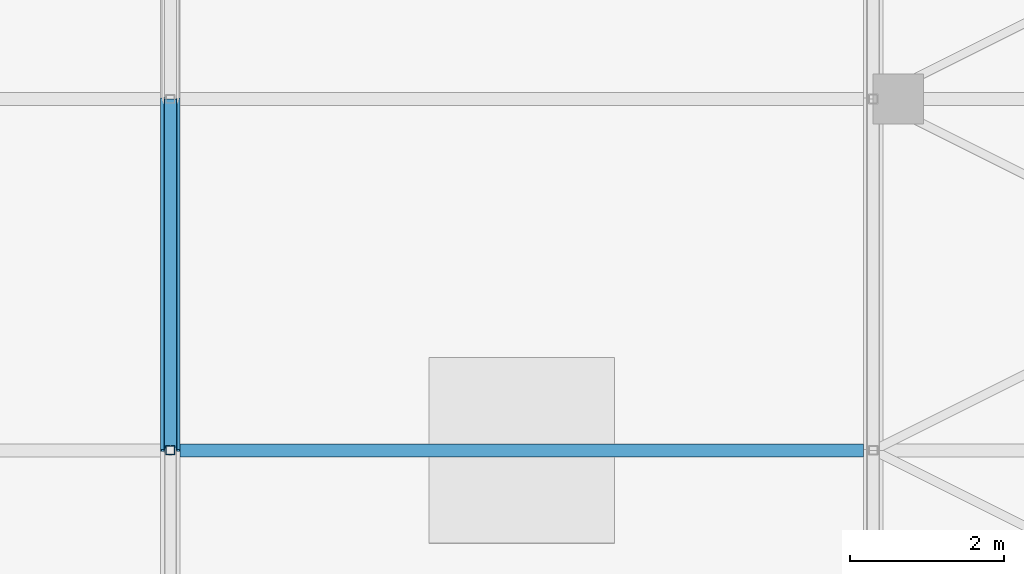
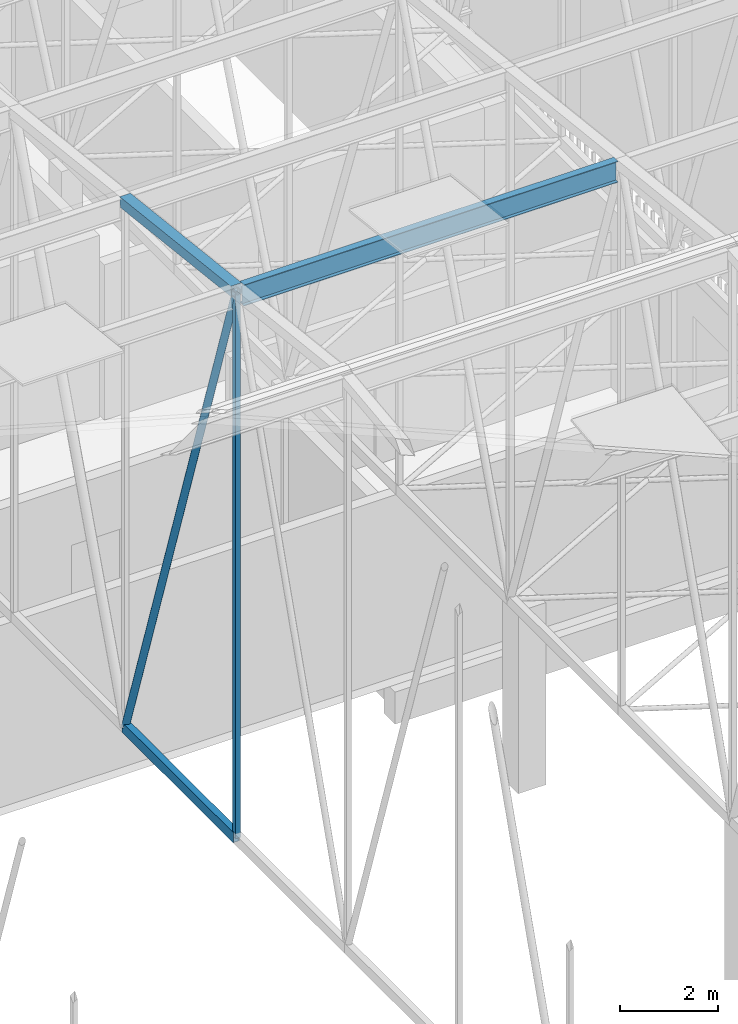
# One storey, part 369 of 500: 5 members.
"""IFC4 building model written with IfcOpenShell, lengths in metres."""

import ifcopenshell
import ifcopenshell.guid

model = None  # the IFC model being written
_history = None  # IfcOwnerHistory: only IFC2X3 demands one
_inside = {}  # id of a spatial element -> (the spatial element, [elements in it])
_under = {}  # id of a project, library or spatial element -> (it, [spatial elements below it])
_declared = {}  # id of a project -> (the project, [libraries it declares])
_typed = {}  # id of a type object -> (the type object, [elements of that type])
_made_of = {}  # id of a material, layer set ... -> (it, [elements and type objects made of it])


def new_model(schema):
    """Start an empty IFC model of exactly this schema.

    Asked for "IFC4X3", IfcOpenShell would pick the latest addendum, in which some entities
    have other attributes; the version numbers below select the first issue.
    IFC2X3 requires an IfcOwnerHistory on every rooted entity: one is made here for all.
    """
    global model, _history
    if schema == "IFC4X3":
        model = ifcopenshell.file(schema_version=(4, 3, 0, 0))
    else:
        model = ifcopenshell.file(schema=schema)
    _inside.clear()
    _under.clear()
    _declared.clear()
    _typed.clear()
    _made_of.clear()
    _history = None
    if model.schema == "IFC2X3":
        org = make("IfcOrganization", Name="unknown")
        user = make(
            "IfcPersonAndOrganization",
            ThePerson=make("IfcPerson", FamilyName="unknown"),
            TheOrganization=org,
        )
        app = make(
            "IfcApplication",
            ApplicationDeveloper=org,
            Version="unknown",
            ApplicationFullName="unknown",
            ApplicationIdentifier="unknown",
        )
        _history = make(
            "IfcOwnerHistory",
            OwningUser=user,
            OwningApplication=app,
            ChangeAction="ADDED",
            CreationDate=0,
        )
    return model


def make(cls, **values):
    """One entity of the class cls with the attributes given. An attribute that is None is left unset."""
    return model.create_entity(
        cls, **{name: value for name, value in values.items() if value is not None}
    )


def rooted(cls, **values):
    """An entity with a GlobalId (a new one), such as an element, a storey or a relation."""
    return make(cls, GlobalId=ifcopenshell.guid.new(), OwnerHistory=_history, **values)


def si_unit(unit_type, name, prefix=None):
    """IfcSIUnit, for example si_unit("LENGTHUNIT", "METRE", prefix="MILLI")."""
    return make("IfcSIUnit", UnitType=unit_type, Prefix=prefix, Name=name)


def assignment(units):
    """IfcUnitAssignment: the units of a project."""
    return None if units is None else make("IfcUnitAssignment", Units=units)


def point(xyz):
    """IfcCartesianPoint."""
    return None if xyz is None else make("IfcCartesianPoint", Coordinates=xyz)


def direction(xyz):
    """IfcDirection."""
    return None if xyz is None else make("IfcDirection", DirectionRatios=xyz)


def frame(location, z_axis=None, x_axis=None):
    """IfcAxis2Placement3D, a coordinate frame: its origin and axes. An axis left out is left unset."""
    return make(
        "IfcAxis2Placement3D",
        Location=point(location),
        Axis=direction(z_axis),
        RefDirection=direction(x_axis),
    )


def frame_2d(location, x_axis=None):
    """IfcAxis2Placement2D, a coordinate frame in the plane: its origin and x axis."""
    return make(
        "IfcAxis2Placement2D", Location=point(location), RefDirection=direction(x_axis)
    )


def origin():
    """The frame at (0, 0, 0) with its axes left unset."""
    return frame((0.0, 0.0, 0.0))


def origin_2d():
    """The frame at (0, 0) in the plane with its x axis left unset."""
    return frame_2d((0.0, 0.0))


def place(relative_to, where):
    """IfcLocalPlacement: puts the frame where relative to a parent placement (None: the world)."""
    return make(
        "IfcLocalPlacement", PlacementRelTo=relative_to, RelativePlacement=where
    )


def context(
    kind, dimensions, precision=None, world=None, true_north=None, identifier=None
):
    """IfcGeometricRepresentationContext, for example the 3D "Model" context."""
    return make(
        "IfcGeometricRepresentationContext",
        ContextIdentifier=identifier,
        ContextType=kind,
        CoordinateSpaceDimension=dimensions,
        Precision=precision,
        WorldCoordinateSystem=world,
        TrueNorth=true_north,
    )


def subcontext(parent, identifier, kind, view, scale=None):
    """IfcGeometricRepresentationSubContext, for example "Body" below "Model"."""
    return make(
        "IfcGeometricRepresentationSubContext",
        ContextIdentifier=identifier,
        ContextType=kind,
        ParentContext=parent,
        TargetScale=scale,
        TargetView=view,
    )


def project(units=None, contexts=None):
    """IfcProject with its units and contexts."""
    return rooted(
        "IfcProject",
        Name="project",
        RepresentationContexts=contexts,
        UnitsInContext=assignment(units),
    )


def spatial(cls, under=None, at=None, **own):
    """A site, building, storey or space (cls), placed at a placement, below another one or the project."""
    s = rooted(cls, ObjectPlacement=at, **own)
    if under is not None:
        _under.setdefault(under.id(), (under, []))[1].append(s)
    return s


def profile(cls, at=None, kind="AREA", **sizes):
    """A parametric profile (cls). Its sizes go by their IFC names, for example OverallWidth=200.0."""
    return make(cls, ProfileType=kind, Position=at, **sizes)


def hollow_rectangle(**sizes):
    """IfcRectangleHollowProfileDef."""
    return profile("IfcRectangleHollowProfileDef", **sizes)


def hollow_circle(**sizes):
    """IfcCircleHollowProfileDef."""
    return profile("IfcCircleHollowProfileDef", **sizes)


def i_section(**sizes):
    """IfcIShapeProfileDef."""
    return profile("IfcIShapeProfileDef", **sizes)


def extrude(swept, where, along, depth):
    """IfcExtrudedAreaSolid: the profile swept, set in the frame where, extruded along a direction by depth."""
    return make(
        "IfcExtrudedAreaSolid",
        SweptArea=swept,
        Position=where,
        ExtrudedDirection=direction(along),
        Depth=depth,
    )


def shape(context_of_items, identifier, shape_type, items):
    """IfcShapeRepresentation: the items that make up one representation, for example the "Body"."""
    return make(
        "IfcShapeRepresentation",
        ContextOfItems=context_of_items,
        RepresentationIdentifier=identifier,
        RepresentationType=shape_type,
        Items=items,
    )


def material(Name=None, Category=None):
    """IfcMaterial."""
    return make("IfcMaterial", Name=Name, Category=Category)


def material_profile(
    of_material, cross_section, Name=None, Category=None, Priority=None
):
    """IfcMaterialProfile: a cross section and its material."""
    return make(
        "IfcMaterialProfile",
        Name=Name,
        Material=of_material,
        Profile=cross_section,
        Priority=Priority,
        Category=Category,
    )


def profile_set(profiles, Name=None, composite=None):
    """IfcMaterialProfileSet."""
    return make(
        "IfcMaterialProfileSet",
        Name=Name,
        MaterialProfiles=profiles,
        CompositeProfile=composite,
    )


def made_of(thing, what):
    """Note that an element or type object is made of a material, layer set ...; save() writes the relation."""
    if what is not None:
        _made_of.setdefault(what.id(), (what, []))[1].append(thing)
    return thing


def type_object(cls, material=None, **own):
    """A type object (cls), such as IfcWallType, which elements share."""
    return made_of(rooted(cls, **own), material)


def element(
    cls,
    number,
    at=None,
    inside=None,
    cuts=None,
    type_object=None,
    material=None,
    context=None,
    identifier="Body",
    shape_type=None,
    held_by="IfcProductDefinitionShape",
    body=None,
    shapes=None,
    **own,
):
    """One element of the class cls, such as IfcWall. Its Tag is "e" and its number.

    at: its placement. inside: the storey or other place that contains it. cuts: it is an
    opening in that element (IfcRelVoidsElement). A single representation is given by context,
    identifier, shape_type and body (its items); several are given by shapes. held_by: the class
    of the entity that holds the representations. save() writes the other relations.
    """
    e = rooted(cls, Tag="e%d" % number, ObjectPlacement=at, **own)
    if body is not None:
        shapes = [shape(context, identifier, shape_type, body)]
    if shapes is not None:
        e.Representation = make(held_by, Representations=shapes)
    if inside is not None:
        _inside.setdefault(inside.id(), (inside, []))[1].append(e)
    if cuts is not None:
        rooted(
            "IfcRelVoidsElement", RelatingBuildingElement=cuts, RelatedOpeningElement=e
        )
    if type_object is not None:
        _typed.setdefault(type_object.id(), (type_object, []))[1].append(e)
    return made_of(e, material)


def aggregate(whole, parts):
    """IfcRelAggregates: a whole, such as a stair, and the parts it consists of."""
    return rooted("IfcRelAggregates", RelatingObject=whole, RelatedObjects=parts)


def save(model, path):
    """Write the relations noted so far, then the file.

    IfcRelAggregates (storeys below a building ...), IfcRelContainedInSpatialStructure (elements
    in a storey), IfcRelDefinesByType, IfcRelAssociatesMaterial and IfcRelDeclares: one each for
    every whole, place, type object, material and project.
    """
    for whole, parts in _under.values():
        aggregate(whole, parts)
    for where, things in _inside.values():
        rooted(
            "IfcRelContainedInSpatialStructure",
            RelatedElements=things,
            RelatingStructure=where,
        )
    for kind, things in _typed.values():
        rooted("IfcRelDefinesByType", RelatedObjects=things, RelatingType=kind)
    for what, things in _made_of.values():
        rooted("IfcRelAssociatesMaterial", RelatedObjects=things, RelatingMaterial=what)
    for by, libraries in _declared.values():
        rooted("IfcRelDeclares", RelatingContext=by, RelatedDefinitions=libraries)
    model.write(path)


model = new_model("IFC4")

# Units and contexts
model_context = context("Model", 3, precision=1e-05, world=origin(), true_north=direction((0.0, 1.0)))
body_context = subcontext(model_context, "Body", "Model", "MODEL_VIEW")
ifc_project = project(units=[si_unit("LENGTHUNIT", "METRE"), si_unit("AREAUNIT", "SQUARE_METRE"), si_unit("VOLUMEUNIT", "CUBIC_METRE"), si_unit("PLANEANGLEUNIT", "RADIAN"), si_unit("MASSUNIT", "GRAM", prefix="KILO")], contexts=[model_context])

# Site, building, storey
site_placement = place(None, origin())
site = spatial("IfcSite", under=ifc_project, at=site_placement, CompositionType="ELEMENT")
building_placement = place(site_placement, origin())
building = spatial("IfcBuilding", under=site, at=building_placement, Name="Shirokan Park Arena", CompositionType="ELEMENT")
storey_placement = place(building_placement, frame((0.0, 0.0, 29.1201171875)))
storey = spatial("IfcBuildingStorey", under=building, at=storey_placement, Name="L06", CompositionType="ELEMENT", Elevation=29.1201171875)

# Members
ifc_material_1 = material(Name="Steel ASTM A500 Grade C", Category="steel")
ifc_material_profile_1 = material_profile(ifc_material_1, hollow_rectangle(XDim=0.152099609375, YDim=0.25390625, WallThickness=0.009521484375, at=origin_2d()), Name="HSS254X152.4X9.5")
ifc_profile_set_1 = profile_set([ifc_material_profile_1], Name="Steel ASTM A500 Grade C")
member_type_1 = type_object("IfcMemberType", Name="Bottom chord HSS254X152.4X9.5", PredefinedType="CHORD", material=ifc_profile_set_1)
member_1_placement = place(storey_placement, frame((127.39990234375, 59.14990234375, 4.677001953125), z_axis=(0.0, 1.0, 0.0), x_axis=(-1.0, 0.0, 0.0)))
element("IfcMember", 1, at=member_1_placement, inside=storey, type_object=member_type_1, Name="Truss T15 bottom chord 16", PredefinedType="CHORD", context=body_context, shape_type="SweptSolid", body=[
    extrude(hollow_rectangle(XDim=0.152099609375, YDim=0.25390625, WallThickness=0.009521484375, at=origin_2d()), origin(), (0.0, 0.0, 1.0), 4.550048828125),
])
ifc_material_2 = material(Name="Steel ASTM A992", Category="steel")
ifc_material_profile_2 = material_profile(ifc_material_2, i_section(OverallWidth=0.166015625, OverallDepth=0.528076171875, WebThickness=0.009765625, FlangeThickness=0.013671875, at=origin_2d()), Name="W530X74")
ifc_profile_set_2 = profile_set([ifc_material_profile_2], Name="Steel ASTM A992")
member_type_2 = type_object("IfcMemberType", Name="Purlin W530X74", PredefinedType="PURLIN", material=ifc_profile_set_2)
member_2_placement = place(storey_placement, frame((127.527099609375, 59.14990234375, 18.205810546875), z_axis=(1.0, 0.0, 0.0), x_axis=(0.0, 1.0, 0.0)))
element("IfcMember", 2, at=member_2_placement, inside=storey, type_object=member_type_2, Name="Purlin 16 bay 15", PredefinedType="PURLIN", context=body_context, shape_type="SweptSolid", body=[
    extrude(i_section(OverallWidth=0.166015625, OverallDepth=0.528076171875, WebThickness=0.009765625, FlangeThickness=0.013671875, at=origin_2d()), origin(), (0.0, 0.0, 1.0), 8.845947265625),
])
ifc_material_profile_3 = material_profile(ifc_material_1, hollow_rectangle(XDim=0.25390625, YDim=0.25390625, WallThickness=0.009521484375, at=origin_2d()), Name="HSS254X254X9.5")
ifc_profile_set_3 = profile_set([ifc_material_profile_3], Name="Steel ASTM A500 Grade C")
member_type_3 = type_object("IfcMemberType", Name="Top chord HSS254X254X9.5", PredefinedType="CHORD", material=ifc_profile_set_3)
member_3_placement = place(storey_placement, frame((127.39990234375, 59.14990234375, 18.3427734375), z_axis=(0.0, 0.993538341779, -0.113496975353), x_axis=(-1.0, 0.0, 0.0)))
element("IfcMember", 3, at=member_3_placement, inside=storey, type_object=member_type_3, Name="Truss T15 top chord 16", PredefinedType="CHORD", context=body_context, shape_type="SweptSolid", body=[
    extrude(hollow_rectangle(XDim=0.25390625, YDim=0.25390625, WallThickness=0.009521484375, at=origin_2d()), origin(), (0.0, 0.0, 1.0), 4.57958984375),
])
ifc_material_profile_4 = material_profile(ifc_material_1, hollow_circle(Radius=0.083984375, WallThickness=0.009521484375, at=origin_2d()), Name="HSS168.3X9.5")
ifc_profile_set_4 = profile_set([ifc_material_profile_4], Name="Steel ASTM A500 Grade C")
member_type_4 = type_object("IfcMemberType", Name="Truss diagonal HSS168.3X9.5", PredefinedType="BRACE", material=ifc_profile_set_4)
member_4_placement = place(storey_placement, frame((127.39990234375, 59.14990234375, 18.3427734375), z_axis=(0.0, 0.315902302102, -0.948791723998), x_axis=(-1.0, 0.0, 0.0)))
element("IfcMember", 4, at=member_4_placement, inside=storey, type_object=member_type_4, Name="Truss T15 diagonal 16", PredefinedType="BRACE", context=body_context, shape_type="SweptSolid", body=[
    extrude(hollow_circle(Radius=0.083984375, WallThickness=0.009521484375, at=origin_2d()), origin(), (0.0, 0.0, 1.0), 14.4033203125),
])
ifc_material_profile_5 = material_profile(ifc_material_1, hollow_rectangle(XDim=0.114013671875, YDim=0.114013671875, WallThickness=0.00634765625, at=origin_2d()), Name="HSS114.3X114.3X6.4")
ifc_profile_set_5 = profile_set([ifc_material_profile_5], Name="Steel ASTM A500 Grade C")
member_type_5 = type_object("IfcMemberType", Name="Truss post HSS114.3X114.3X6.4", PredefinedType="POST", material=ifc_profile_set_5)
member_5_placement = place(storey_placement, frame((127.39990234375, 59.14990234375, 4.677001953125), z_axis=(0.0, 0.0, 1.0), x_axis=(1.0, 0.0, 0.0)))
element("IfcMember", 5, at=member_5_placement, inside=storey, type_object=member_type_5, Name="Truss T15 post 16", PredefinedType="POST", context=body_context, shape_type="SweptSolid", body=[
    extrude(hollow_rectangle(XDim=0.114013671875, YDim=0.114013671875, WallThickness=0.00634765625, at=origin_2d()), origin(), (0.0, 0.0, 1.0), 13.665771484375),
])

save(model, "model.ifc")
